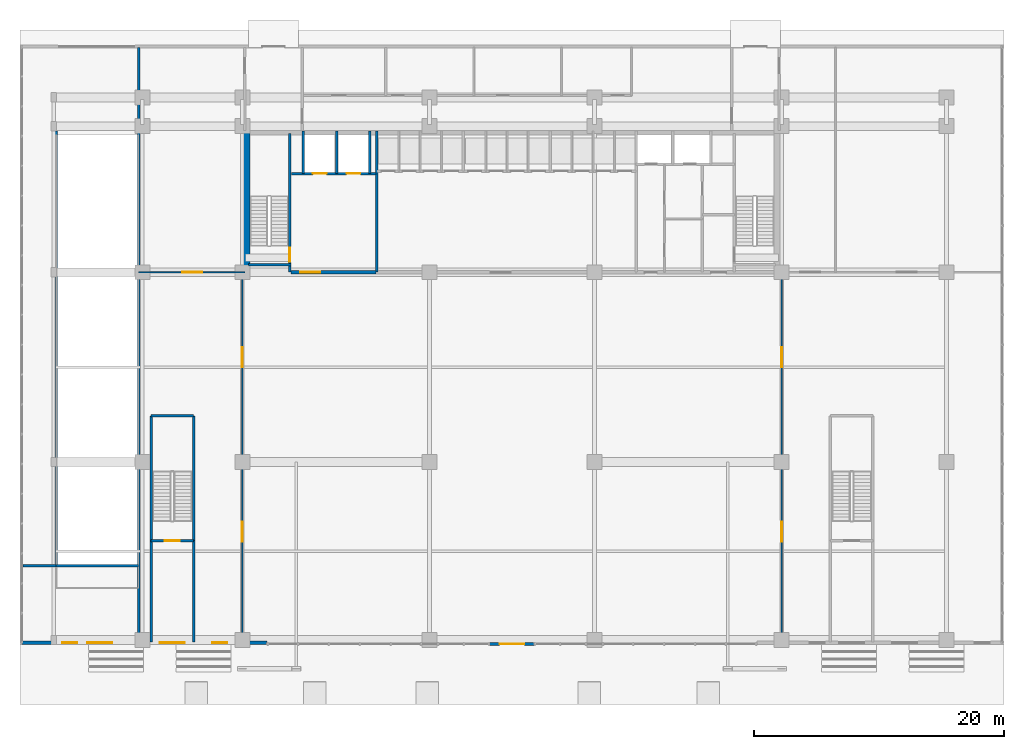
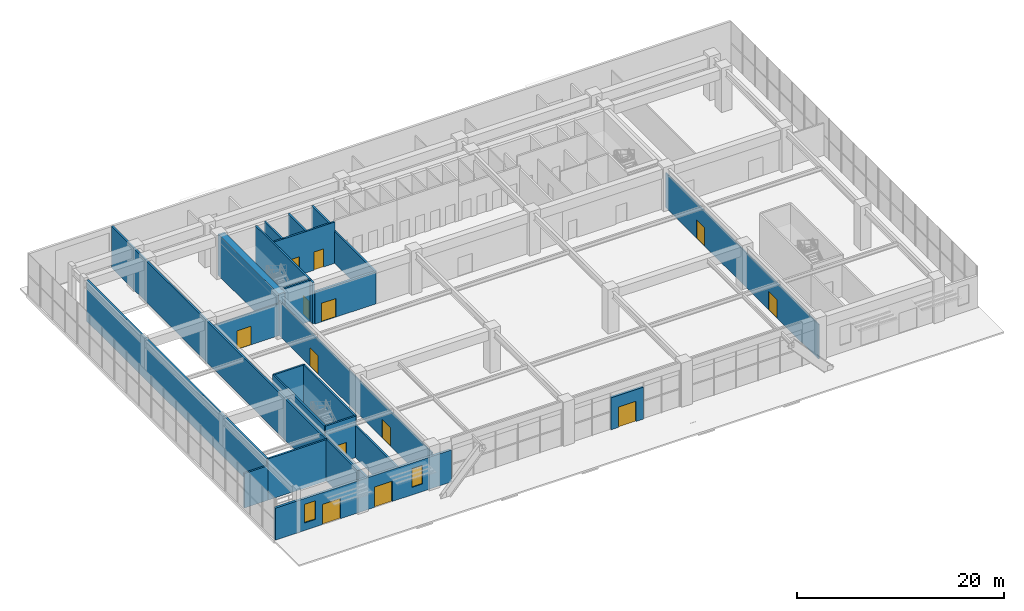
# One storey, part 33 of 40: 24 walls, 13 doors, 2 windows, 15 openings.
"""IFC4 building model written with IfcOpenShell, lengths in metres."""

from ifc_helpers import new_model, si_unit, direction, frame, frame_2d, origin, place, context, subcontext, project, spatial, rectangle, extrude, source, transform, mapped, material, layer, layer_set, type_object, element, fill, save


model = new_model("IFC4")

# Units and contexts
model_context = context("Model", 3, precision=1e-05, world=origin(), true_north=direction((0.0, 1.0)))
body_context = subcontext(model_context, "Body", "Model", "MODEL_VIEW")
ifc_project = project(units=[si_unit("LENGTHUNIT", "METRE"), si_unit("AREAUNIT", "SQUARE_METRE"), si_unit("VOLUMEUNIT", "CUBIC_METRE"), si_unit("PLANEANGLEUNIT", "RADIAN"), si_unit("MASSUNIT", "GRAM", prefix="KILO")], contexts=[model_context])

# Site, building, storey
site_placement = place(None, origin())
site = spatial("IfcSite", under=ifc_project, at=site_placement, CompositionType="ELEMENT")
building_placement = place(site_placement, origin())
building = spatial("IfcBuilding", under=site, at=building_placement, Name="Trelvane Seafront Commons", CompositionType="ELEMENT")
storey_placement = place(building_placement, origin())
storey = spatial("IfcBuildingStorey", under=building, at=storey_placement, Name="L00", CompositionType="ELEMENT", Elevation=0.0)

# Wall, openings, doors, windows
ifc_material_1 = material(Name="Precast concrete C40/50", Category="concrete")
ifc_layer_1 = layer(ifc_material_1, 0.260009765625, Name="ARCH-WALL-EXT260")
ifc_layer_set_1 = layer_set([ifc_layer_1], Name="Precast concrete C40/50")
wall_type_1 = type_object("IfcWallType", Name="ARCH-WALL-EXT260", PredefinedType="SOLIDWALL", material=ifc_layer_set_1)
wall_1_placement = place(storey_placement, frame((17.60009765625, 3.72998046875, 0.0), z_axis=(0.0, 0.0, 1.0), x_axis=(-1.0, 0.0, 0.0)))
wall_1 = element("IfcWall", 1, at=wall_1_placement, inside=storey, type_object=wall_type_1, Name="EW-L00-SW-002", PredefinedType="SOLIDWALL", context=body_context, shape_type="SweptSolid", body=[
    extrude(rectangle(XDim=19.650146484375, YDim=0.260009765625, at=frame_2d((9.8251953125, 0.0))), origin(), (0.0, 0.0, 1.0), 3.780029296875),
])
opening_1_placement = place(wall_1_placement, frame((6.60009765625, 0.0, 0.0)))
opening_1 = element("IfcOpeningElement", 2, at=opening_1_placement, cuts=wall_1, Name="Opening FD-EXS4", PredefinedType="OPENING", context=body_context, shape_type="SweptSolid", body=[
    extrude(rectangle(XDim=2.0, YDim=2.39990234375, at=frame_2d((1.0, 1.199951171875))), frame((0.0, 0.139892578125, 0.0), z_axis=(0.0, -1.0, 0.0), x_axis=(1.0, 0.0, 0.0)), (0.0, 0.0, 1.0), 0.280029296875),
])
opening_2_placement = place(wall_1_placement, frame((12.39990234375, 0.0, 0.0)))
opening_2 = element("IfcOpeningElement", 3, at=opening_2_placement, cuts=wall_1, Name="Opening FD-EXS5", PredefinedType="OPENING", context=body_context, shape_type="SweptSolid", body=[
    extrude(rectangle(XDim=2.0, YDim=2.39990234375, at=frame_2d((1.0, 1.199951171875))), frame((0.0, 0.139892578125, 0.0), z_axis=(0.0, -1.0, 0.0), x_axis=(1.0, 0.0, 0.0)), (0.0, 0.0, 1.0), 0.280029296875),
])
opening_3_placement = place(wall_1_placement, frame((3.199951171875, 0.0, 0.89990234375)))
opening_3 = element("IfcOpeningElement", 4, at=opening_3_placement, cuts=wall_1, Name="Opening W05", PredefinedType="OPENING", context=body_context, shape_type="SweptSolid", body=[
    extrude(rectangle(XDim=1.199951171875, YDim=2.199951171875, at=frame_2d((0.60009765625, 1.10009765625))), frame((0.0, 0.139892578125, 0.0), z_axis=(0.0, -1.0, 0.0), x_axis=(1.0, 0.0, 0.0)), (0.0, 0.0, 1.0), 0.280029296875),
])
opening_4_placement = place(wall_1_placement, frame((15.199951171875, 0.0, 0.89990234375)))
opening_4 = element("IfcOpeningElement", 5, at=opening_4_placement, cuts=wall_1, Name="Opening W05", PredefinedType="OPENING", context=body_context, shape_type="SweptSolid", body=[
    extrude(rectangle(XDim=1.199951171875, YDim=2.199951171875, at=frame_2d((0.60009765625, 1.10009765625))), frame((0.0, 0.139892578125, 0.0), z_axis=(0.0, -1.0, 0.0), x_axis=(1.0, 0.0, 0.0)), (0.0, 0.0, 1.0), 0.280029296875),
])
ifc_material_2 = material(Name="Powder-coated aluminium frame", Category="aluminium")
door_type_1 = type_object("IfcDoorType", Name="ARCH-DR-EX2000", OperationType="DOUBLE_DOOR_SINGLE_SWING", PredefinedType="DOOR", material=ifc_material_2)
shared_shape_1 = source(origin(), body_context, "Body", "SweptSolid", [
    extrude(rectangle(XDim=2.0, YDim=2.39990234375, at=frame_2d((1.0, 1.199951171875))), frame((0.0, 0.02490234375, 0.0), z_axis=(0.0, -1.0, 0.0), x_axis=(1.0, 0.0, 0.0)), (0.0, 0.0, 1.0), 0.050048828125),
])
door_1_placement = place(opening_1_placement, origin())
door_1 = element("IfcDoor", 6, at=door_1_placement, inside=storey, type_object=door_type_1, Name="L00 Seafront Concourse Final Exit Door 4", OperationType="DOUBLE_DOOR_SINGLE_SWING", OverallHeight=2.39990234375, OverallWidth=2.0, PredefinedType="DOOR", context=body_context, shape_type="MappedRepresentation", body=[
    mapped(shared_shape_1, transform((0.0, 0.0, 0.0), x_axis=(1.0, 0.0, 0.0), y_axis=(0.0, 1.0, 0.0), z_axis=(0.0, 0.0, 1.0), scale=1.0)),
])
fill(opening_1, door_1)
door_2_placement = place(opening_2_placement, origin())
door_2 = element("IfcDoor", 7, at=door_2_placement, inside=storey, type_object=door_type_1, Name="L00 Seafront Concourse Final Exit Door 5", OperationType="DOUBLE_DOOR_SINGLE_SWING", OverallHeight=2.39990234375, OverallWidth=2.0, PredefinedType="DOOR", context=body_context, shape_type="MappedRepresentation", body=[
    mapped(shared_shape_1, transform((0.0, 0.0, 0.0), x_axis=(1.0, 0.0, 0.0), y_axis=(0.0, 1.0, 0.0), z_axis=(0.0, 0.0, 1.0), scale=1.0)),
])
fill(opening_2, door_2)
ifc_material_3 = material(Name="Low-E coastal double glazing", Category="glass")
window_type = type_object("IfcWindowType", Name="ARCH-WIN-W05", PartitioningType="SINGLE_PANEL", PredefinedType="WINDOW", material=ifc_material_3)
shared_shape_2 = source(origin(), body_context, "Body", "SweptSolid", [
    extrude(rectangle(XDim=1.199951171875, YDim=2.199951171875, at=frame_2d((0.60009765625, 1.10009765625))), frame((0.0, 0.030029296875, 0.0), z_axis=(0.0, -1.0, 0.0), x_axis=(1.0, 0.0, 0.0)), (0.0, 0.0, 1.0), 0.06005859375),
])
window_1_placement = place(opening_3_placement, origin())
window_1 = element("IfcWindow", 8, at=window_1_placement, inside=storey, type_object=window_type, Name="WIN-L00-S-0001", OverallHeight=2.199951171875, OverallWidth=1.199951171875, PartitioningType="SINGLE_PANEL", PredefinedType="WINDOW", context=body_context, shape_type="MappedRepresentation", body=[
    mapped(shared_shape_2, transform((0.0, 0.0, 0.0), x_axis=(1.0, 0.0, 0.0), y_axis=(0.0, 1.0, 0.0), z_axis=(0.0, 0.0, 1.0), scale=1.0)),
])
fill(opening_3, window_1)
window_2_placement = place(opening_4_placement, origin())
window_2 = element("IfcWindow", 9, at=window_2_placement, inside=storey, type_object=window_type, Name="WIN-L00-S-0002", OverallHeight=2.199951171875, OverallWidth=1.199951171875, PartitioningType="SINGLE_PANEL", PredefinedType="WINDOW", context=body_context, shape_type="MappedRepresentation", body=[
    mapped(shared_shape_2, transform((0.0, 0.0, 0.0), x_axis=(1.0, 0.0, 0.0), y_axis=(0.0, 1.0, 0.0), z_axis=(0.0, 0.0, 1.0), scale=1.0)),
])
fill(opening_4, window_2)

# Wall, opening, door
wall_2_placement = place(storey_placement, frame((39.0, 3.6201171875, 0.0), z_axis=(0.0, 0.0, 1.0), x_axis=(-1.0, 0.0, 0.0)))
wall_2 = element("IfcWall", 10, at=wall_2_placement, inside=storey, type_object=wall_type_1, Name="EW-L00-VPMID-004", PredefinedType="SOLIDWALL", context=body_context, shape_type="SweptSolid", body=[
    extrude(rectangle(XDim=3.60009765625, YDim=0.260009765625, at=frame_2d((1.800048828125, 0.0))), origin(), (0.0, 0.0, 1.0), 3.780029296875),
])
opening_5_placement = place(wall_2_placement, frame((0.800048828125, 0.0, 0.0)))
opening_5 = element("IfcOpeningElement", 11, at=opening_5_placement, cuts=wall_2, Name="Opening FD-EXS8", PredefinedType="OPENING", context=body_context, shape_type="SweptSolid", body=[
    extrude(rectangle(XDim=2.0, YDim=2.39990234375, at=frame_2d((1.0, 1.199951171875))), frame((0.0, 0.139892578125, 0.0), z_axis=(0.0, -1.0, 0.0), x_axis=(1.0, 0.0, 0.0)), (0.0, 0.0, 1.0), 0.280029296875),
])
door_3_placement = place(opening_5_placement, origin())
door_3 = element("IfcDoor", 12, at=door_3_placement, inside=storey, type_object=door_type_1, Name="L00 Central Seafront Concourse Final Exit Door", OperationType="DOUBLE_DOOR_SINGLE_SWING", OverallHeight=2.39990234375, OverallWidth=2.0, PredefinedType="DOOR", context=body_context, shape_type="MappedRepresentation", body=[
    mapped(shared_shape_1, transform((0.0, 0.0, 0.0), x_axis=(1.0, 0.0, 0.0), y_axis=(0.0, 1.0, 0.0), z_axis=(0.0, 0.0, 1.0), scale=1.0)),
])
fill(opening_5, door_3)

# Walls
ifc_material_4 = material(Name="Concrete C40/50", Category="concrete")
ifc_layer_2 = layer(ifc_material_4, 0.199951171875, Name="ARCH-WALL-FIRE200")
ifc_layer_set_2 = layer_set([ifc_layer_2], Name="Concrete C40/50")
wall_type_2 = type_object("IfcWallType", Name="ARCH-WALL-FIRE200", PredefinedType="PARTITIONING", material=ifc_layer_set_2)
for number, where, z_axis, x_axis, name in (
    (13, (8.300048828125, 3.780029296875, 0.0), (0.0, 0.0, 1.0), (0.0, 1.0, 0.0), "W-L00-EPSW-W-061"),
    (14, (11.699951171875, 3.780029296875, 0.0), (0.0, 0.0, 1.0), (0.0, 1.0, 0.0), "W-L00-EPSW-E-062"),
):
    element("IfcWall", number, at=place(storey_placement, frame(where, z_axis=z_axis, x_axis=x_axis)), inside=storey, type_object=wall_type_2, Name=name, PredefinedType="PARTITIONING", context=body_context, shape_type="SweptSolid", body=[
        extrude(rectangle(XDim=8.119873046875, YDim=0.199951171875, at=frame_2d((4.06005859375, 0.0))), origin(), (0.0, 0.0, 1.0), 3.780029296875),
    ])
wall_3_placement = place(storey_placement, frame((-1.949951171875, 9.89990234375, 0.0), z_axis=(0.0, 0.0, 1.0), x_axis=(1.0, 0.0, 0.0)))
element("IfcWall", 15, at=wall_3_placement, inside=storey, type_object=wall_type_2, Name="W-L00-RETSW-N-065", PredefinedType="PARTITIONING", context=body_context, shape_type="SweptSolid", body=[
    extrude(rectangle(XDim=2.64990234375, YDim=0.199951171875, at=frame_2d((1.324951171875, 0.0))), origin(), (0.0, 0.0, 1.0), 4.080078125),
])

# Wall, opening, door
ifc_layer_3 = layer(ifc_material_4, 0.25, Name="ARCH-WALL-FIRE250")
ifc_layer_set_3 = layer_set([ifc_layer_3], Name="Concrete C40/50")
wall_type_3 = type_object("IfcWallType", Name="ARCH-WALL-FIRE250", PredefinedType="PARTITIONING", material=ifc_layer_set_3)
wall_4_placement = place(storey_placement, frame((19.5, 33.39990234375, 0.0), z_axis=(0.0, 0.0, 1.0), x_axis=(1.0, 0.0, 0.0)))
wall_4 = element("IfcWall", 16, at=wall_4_placement, inside=storey, type_object=wall_type_3, Name="W-L00-CS-FFL-021", PredefinedType="PARTITIONING", context=body_context, shape_type="SweptSolid", body=[
    extrude(rectangle(XDim=6.800048828125, YDim=0.25, at=frame_2d((3.39990234375, 0.0))), origin(), (0.0, 0.0, 1.0), 3.780029296875),
])
opening_6_placement = place(wall_4_placement, frame((0.75, 0.0, 0.0)))
opening_6 = element("IfcOpeningElement", 17, at=opening_6_placement, cuts=wall_4, Name="Opening FD-L00-07", PredefinedType="OPENING", context=body_context, shape_type="SweptSolid", body=[
    extrude(rectangle(XDim=1.60009765625, YDim=2.199951171875, at=frame_2d((0.800048828125, 1.10009765625))), frame((0.0, 0.135009765625, 0.0), z_axis=(0.0, -1.0, 0.0), x_axis=(1.0, 0.0, 0.0)), (0.0, 0.0, 1.0), 0.27001953125),
])
door_type_2 = type_object("IfcDoorType", Name="ARCH-DR-FD60-1600", OperationType="DOUBLE_DOOR_SINGLE_SWING", PredefinedType="DOOR", material=ifc_material_2)
shared_shape_3 = source(origin(), body_context, "Body", "SweptSolid", [
    extrude(rectangle(XDim=1.60009765625, YDim=2.199951171875, at=frame_2d((0.800048828125, 1.10009765625))), frame((0.0, 0.02490234375, 0.0), z_axis=(0.0, -1.0, 0.0), x_axis=(1.0, 0.0, 0.0)), (0.0, 0.0, 1.0), 0.050048828125),
])
door_4_placement = place(opening_6_placement, origin())
door_4 = element("IfcDoor", 18, at=door_4_placement, inside=storey, type_object=door_type_2, Name="L00 Firefighting Lift Lobby Double Fire Door", OperationType="DOUBLE_DOOR_SINGLE_SWING", OverallHeight=2.199951171875, OverallWidth=1.60009765625, PredefinedType="DOOR", context=body_context, shape_type="MappedRepresentation", body=[
    mapped(shared_shape_3, transform((0.0, 0.0, 0.0), x_axis=(1.0, 0.0, 0.0), y_axis=(0.0, 1.0, 0.0), z_axis=(0.0, 0.0, 1.0), scale=1.0)),
])
fill(opening_6, door_4)

ifc_material_5 = material(Name="Gypsum Drywall Acoustic Partition")
ifc_layer_4 = layer(ifc_material_5, 0.14990234375, Name="ARCH-WALL-PART150")
ifc_layer_set_4 = layer_set([ifc_layer_4], Name="Gypsum Drywall Acoustic Partition")
wall_type_4 = type_object("IfcWallType", Name="ARCH-WALL-PART150", PredefinedType="PARTITIONING", material=ifc_layer_set_4)
wall_5_placement = place(storey_placement, frame((7.300048828125, 33.39990234375, 0.0), z_axis=(0.0, 0.0, 1.0), x_axis=(1.0, 0.0, 0.0)))
wall_5 = element("IfcWall", 19, at=wall_5_placement, inside=storey, type_object=wall_type_4, Name="W-L00-WF-S-049", PredefinedType="PARTITIONING", context=body_context, shape_type="SweptSolid", body=[
    extrude(rectangle(XDim=8.5, YDim=0.14990234375, at=frame_2d((4.25, 0.0))), origin(), (0.0, 0.0, 1.0), 3.780029296875),
])
opening_7_placement = place(wall_5_placement, frame((3.5, 0.0, 0.0)))
opening_7 = element("IfcOpeningElement", 20, at=opening_7_placement, cuts=wall_5, Name="Opening D-L00-28", PredefinedType="OPENING", context=body_context, shape_type="SweptSolid", body=[
    extrude(rectangle(XDim=1.60009765625, YDim=2.199951171875, at=frame_2d((0.800048828125, 1.10009765625))), frame((0.0, 0.0849609375, 0.0), z_axis=(0.0, -1.0, 0.0), x_axis=(1.0, 0.0, 0.0)), (0.0, 0.0, 1.0), 0.169921875),
])
ifc_material_6 = material(Name="Acoustic timber door leaf", Category="wood")
door_type_3 = type_object("IfcDoorType", Name="ARCH-DR-GLZ1600", OperationType="DOUBLE_DOOR_SINGLE_SWING", PredefinedType="DOOR", material=ifc_material_6)
door_5_placement = place(opening_7_placement, origin())
door_5 = element("IfcDoor", 21, at=door_5_placement, inside=storey, type_object=door_type_3, Name="L00 Door 28", OperationType="DOUBLE_DOOR_SINGLE_SWING", OverallHeight=2.199951171875, OverallWidth=1.60009765625, PredefinedType="DOOR", context=body_context, shape_type="MappedRepresentation", body=[
    mapped(shared_shape_3, transform((0.0, 0.0, 0.0), x_axis=(1.0, 0.0, 0.0), y_axis=(0.0, 1.0, 0.0), z_axis=(0.0, 0.0, 1.0), scale=1.0)),
])
fill(opening_7, door_5)

# Wall, openings, doors
wall_6_placement = place(storey_placement, frame((15.60009765625, 3.800048828125, 0.0), z_axis=(0.0, 0.0, 1.0), x_axis=(0.0, 1.0, 0.0)))
wall_6 = element("IfcWall", 22, at=wall_6_placement, inside=storey, type_object=wall_type_4, Name="W-L00-RET-W-066", PredefinedType="PARTITIONING", context=body_context, shape_type="SweptSolid", body=[
    extrude(rectangle(XDim=29.599853515625, YDim=0.14990234375, at=frame_2d((14.7998046875, 0.0))), origin(), (0.0, 0.0, 1.0), 4.080078125),
])
opening_8_placement = place(wall_6_placement, frame((8.0, 0.0, 0.0)))
opening_8 = element("IfcOpeningElement", 23, at=opening_8_placement, cuts=wall_6, Name="Opening D-L00-39", PredefinedType="OPENING", context=body_context, shape_type="SweptSolid", body=[
    extrude(rectangle(XDim=1.60009765625, YDim=2.199951171875, at=frame_2d((0.800048828125, 1.10009765625))), frame((0.0, 0.0849609375, 0.0), z_axis=(0.0, -1.0, 0.0), x_axis=(1.0, 0.0, 0.0)), (0.0, 0.0, 1.0), 0.169921875),
])
opening_9_placement = place(wall_6_placement, frame((22.0, 0.0, 0.0)))
opening_9 = element("IfcOpeningElement", 24, at=opening_9_placement, cuts=wall_6, Name="Opening D-L00-40", PredefinedType="OPENING", context=body_context, shape_type="SweptSolid", body=[
    extrude(rectangle(XDim=1.60009765625, YDim=2.199951171875, at=frame_2d((0.800048828125, 1.10009765625))), frame((0.0, 0.0849609375, 0.0), z_axis=(0.0, -1.0, 0.0), x_axis=(1.0, 0.0, 0.0)), (0.0, 0.0, 1.0), 0.169921875),
])
door_6_placement = place(opening_8_placement, origin())
door_6 = element("IfcDoor", 25, at=door_6_placement, inside=storey, type_object=door_type_3, Name="L00 Door 39", OperationType="DOUBLE_DOOR_SINGLE_SWING", OverallHeight=2.199951171875, OverallWidth=1.60009765625, PredefinedType="DOOR", context=body_context, shape_type="MappedRepresentation", body=[
    mapped(shared_shape_3, transform((0.0, 0.0, 0.0), x_axis=(1.0, 0.0, 0.0), y_axis=(0.0, 1.0, 0.0), z_axis=(0.0, 0.0, 1.0), scale=1.0)),
])
fill(opening_8, door_6)
door_7_placement = place(opening_9_placement, origin())
door_7 = element("IfcDoor", 26, at=door_7_placement, inside=storey, type_object=door_type_3, Name="L00 Door 40", OperationType="DOUBLE_DOOR_SINGLE_SWING", OverallHeight=2.199951171875, OverallWidth=1.60009765625, PredefinedType="DOOR", context=body_context, shape_type="MappedRepresentation", body=[
    mapped(shared_shape_3, transform((0.0, 0.0, 0.0), x_axis=(1.0, 0.0, 0.0), y_axis=(0.0, 1.0, 0.0), z_axis=(0.0, 0.0, 1.0), scale=1.0)),
])
fill(opening_9, door_7)

wall_7_placement = place(storey_placement, frame((58.800048828125, 3.800048828125, 0.0), z_axis=(0.0, 0.0, 1.0), x_axis=(0.0, 1.0, 0.0)))
wall_7 = element("IfcWall", 27, at=wall_7_placement, inside=storey, type_object=wall_type_4, Name="W-L00-RET-E-067", PredefinedType="PARTITIONING", context=body_context, shape_type="SweptSolid", body=[
    extrude(rectangle(XDim=29.599853515625, YDim=0.14990234375, at=frame_2d((14.7998046875, 0.0))), origin(), (0.0, 0.0, 1.0), 4.080078125),
])
opening_10_placement = place(wall_7_placement, frame((8.0, 0.0, 0.0)))
opening_10 = element("IfcOpeningElement", 28, at=opening_10_placement, cuts=wall_7, Name="Opening D-L00-41", PredefinedType="OPENING", context=body_context, shape_type="SweptSolid", body=[
    extrude(rectangle(XDim=1.60009765625, YDim=2.199951171875, at=frame_2d((0.800048828125, 1.10009765625))), frame((0.0, 0.0849609375, 0.0), z_axis=(0.0, -1.0, 0.0), x_axis=(1.0, 0.0, 0.0)), (0.0, 0.0, 1.0), 0.169921875),
])
opening_11_placement = place(wall_7_placement, frame((22.0, 0.0, 0.0)))
opening_11 = element("IfcOpeningElement", 29, at=opening_11_placement, cuts=wall_7, Name="Opening D-L00-42", PredefinedType="OPENING", context=body_context, shape_type="SweptSolid", body=[
    extrude(rectangle(XDim=1.60009765625, YDim=2.199951171875, at=frame_2d((0.800048828125, 1.10009765625))), frame((0.0, 0.0849609375, 0.0), z_axis=(0.0, -1.0, 0.0), x_axis=(1.0, 0.0, 0.0)), (0.0, 0.0, 1.0), 0.169921875),
])
door_8_placement = place(opening_10_placement, origin())
door_8 = element("IfcDoor", 30, at=door_8_placement, inside=storey, type_object=door_type_3, Name="L00 Door 41", OperationType="DOUBLE_DOOR_SINGLE_SWING", OverallHeight=2.199951171875, OverallWidth=1.60009765625, PredefinedType="DOOR", context=body_context, shape_type="MappedRepresentation", body=[
    mapped(shared_shape_3, transform((0.0, 0.0, 0.0), x_axis=(1.0, 0.0, 0.0), y_axis=(0.0, 1.0, 0.0), z_axis=(0.0, 0.0, 1.0), scale=1.0)),
])
fill(opening_10, door_8)
door_9_placement = place(opening_11_placement, origin())
door_9 = element("IfcDoor", 31, at=door_9_placement, inside=storey, type_object=door_type_3, Name="L00 Door 42", OperationType="DOUBLE_DOOR_SINGLE_SWING", OverallHeight=2.199951171875, OverallWidth=1.60009765625, PredefinedType="DOOR", context=body_context, shape_type="MappedRepresentation", body=[
    mapped(shared_shape_3, transform((0.0, 0.0, 0.0), x_axis=(1.0, 0.0, 0.0), y_axis=(0.0, 1.0, 0.0), z_axis=(0.0, 0.0, 1.0), scale=1.0)),
])
fill(opening_11, door_9)

ifc_layer_5 = layer(ifc_material_4, 0.199951171875, Name="ARCH-WALL-SHAFT200")
ifc_layer_set_5 = layer_set([ifc_layer_5], Name="Concrete C40/50")
wall_type_5 = type_object("IfcWallType", Name="ARCH-WALL-SHAFT200", PredefinedType="SOLIDWALL", material=ifc_layer_set_5)
wall_8_placement = place(storey_placement, frame((19.550048828125, 41.300048828125, 0.0), z_axis=(0.0, 0.0, 1.0), x_axis=(1.0, 0.0, 0.0)))
wall_8 = element("IfcWall", 32, at=wall_8_placement, inside=storey, type_object=wall_type_5, Name="W-L00-FFL-FRONT-016", PredefinedType="SOLIDWALL", context=body_context, shape_type="SweptSolid", body=[
    extrude(rectangle(XDim=6.75, YDim=0.199951171875, at=frame_2d((3.375, 0.0))), origin(), (0.0, 0.0, 1.0), 4.8798828125),
])
opening_12_placement = place(wall_8_placement, frame((1.699951171875, 0.0, 0.0)))
opening_12 = element("IfcOpeningElement", 33, at=opening_12_placement, cuts=wall_8, Name="Opening LD-FF1-L00", PredefinedType="OPENING", context=body_context, shape_type="SweptSolid", body=[
    extrude(rectangle(XDim=1.10009765625, YDim=2.14990234375, at=frame_2d((0.550048828125, 1.074951171875))), frame((0.0, 0.10986328125, 0.0), z_axis=(0.0, -1.0, 0.0), x_axis=(1.0, 0.0, 0.0)), (0.0, 0.0, 1.0), 0.219970703125),
])
opening_13_placement = place(wall_8_placement, frame((4.39990234375, 0.0, 0.0)))
opening_13 = element("IfcOpeningElement", 34, at=opening_13_placement, cuts=wall_8, Name="Opening LD-FF2-L00", PredefinedType="OPENING", context=body_context, shape_type="SweptSolid", body=[
    extrude(rectangle(XDim=1.10009765625, YDim=2.14990234375, at=frame_2d((0.550048828125, 1.074951171875))), frame((0.0, 0.10986328125, 0.0), z_axis=(0.0, -1.0, 0.0), x_axis=(1.0, 0.0, 0.0)), (0.0, 0.0, 1.0), 0.219970703125),
])
ifc_material_7 = material(Name="Stainless steel balustrade", Category="steel")
door_type_4 = type_object("IfcDoorType", Name="ARCH-DR-LD1100", OperationType="DOUBLE_DOOR_SLIDING", PredefinedType="DOOR", material=ifc_material_7)
shared_shape_4 = source(origin(), body_context, "Body", "SweptSolid", [
    extrude(rectangle(XDim=1.10009765625, YDim=2.14990234375, at=frame_2d((0.550048828125, 1.074951171875))), frame((0.0, 0.02490234375, 0.0), z_axis=(0.0, -1.0, 0.0), x_axis=(1.0, 0.0, 0.0)), (0.0, 0.0, 1.0), 0.050048828125),
])
door_10_placement = place(opening_12_placement, origin())
door_10 = element("IfcDoor", 35, at=door_10_placement, inside=storey, type_object=door_type_4, Name="L00 Firefighting Lift FFL-1 Landing Door", OperationType="DOUBLE_DOOR_SLIDING", OverallHeight=2.14990234375, OverallWidth=1.10009765625, PredefinedType="DOOR", context=body_context, shape_type="MappedRepresentation", body=[
    mapped(shared_shape_4, transform((0.0, 0.0, 0.0), x_axis=(1.0, 0.0, 0.0), y_axis=(0.0, 1.0, 0.0), z_axis=(0.0, 0.0, 1.0), scale=1.0)),
])
fill(opening_12, door_10)
door_11_placement = place(opening_13_placement, origin())
door_11 = element("IfcDoor", 36, at=door_11_placement, inside=storey, type_object=door_type_4, Name="L00 Firefighting Lift FFL-2 Landing Door", OperationType="DOUBLE_DOOR_SLIDING", OverallHeight=2.14990234375, OverallWidth=1.10009765625, PredefinedType="DOOR", context=body_context, shape_type="MappedRepresentation", body=[
    mapped(shared_shape_4, transform((0.0, 0.0, 0.0), x_axis=(1.0, 0.0, 0.0), y_axis=(0.0, 1.0, 0.0), z_axis=(0.0, 0.0, 1.0), scale=1.0)),
])
fill(opening_13, door_11)

# Walls
for number, where, z_axis, x_axis, name in (
    (37, (20.5, 41.300048828125, 0.0), (0.0, 0.0, 1.0), (0.0, 1.0, 0.0), "W-L00-FFL-SH-W-017"),
    (38, (23.14990234375, 41.300048828125, 0.0), (0.0, 0.0, 1.0), (0.0, 1.0, 0.0), "W-L00-FFL-DIV-018"),
    (39, (25.800048828125, 41.300048828125, 0.0), (0.0, 0.0, 1.0), (0.0, 1.0, 0.0), "W-L00-FFL-SH-E-019"),
):
    element("IfcWall", number, at=place(storey_placement, frame(where, z_axis=z_axis, x_axis=x_axis)), inside=storey, type_object=wall_type_5, Name=name, PredefinedType="SOLIDWALL", context=body_context, shape_type="SweptSolid", body=[
        extrude(rectangle(XDim=3.39990234375, YDim=0.199951171875, at=frame_2d((1.699951171875, 0.0))), origin(), (0.0, 0.0, 1.0), 4.8798828125),
    ])
wall_9_placement = place(storey_placement, frame((26.35009765625, 33.39990234375, 0.0), z_axis=(0.0, 0.0, 1.0), x_axis=(0.0, 1.0, 0.0)))
element("IfcWall", 40, at=wall_9_placement, inside=storey, type_object=wall_type_5, Name="W-L00-FFL-EAST-020", PredefinedType="SOLIDWALL", context=body_context, shape_type="SweptSolid", body=[
    extrude(rectangle(XDim=11.300048828125, YDim=0.199951171875, at=frame_2d((5.64990234375, 0.0))), origin(), (0.0, 0.0, 1.0), 3.780029296875),
])
ifc_material_8 = material(Name="Concrete C60/75", Category="concrete")
ifc_layer_6 = layer(ifc_material_8, 0.699951171875, Name="STR-WALL-CORE700")
ifc_layer_set_6 = layer_set([ifc_layer_6], Name="Concrete C60/75")
wall_type_6 = type_object("IfcWallType", Name="STR-WALL-CORE700", PredefinedType="SHEAR", material=ifc_layer_set_6)
wall_10_placement = place(storey_placement, frame((15.85009765625, 33.39990234375, 0.0), z_axis=(0.0, 0.0, 1.0), x_axis=(0.0, 1.0, 0.0)))
element("IfcWall", 41, at=wall_10_placement, inside=storey, type_object=wall_type_6, Name="W-L00-CW-END-002", PredefinedType="SHEAR", context=body_context, shape_type="SweptSolid", body=[
    extrude(rectangle(XDim=11.7001953125, YDim=0.699951171875, at=frame_2d((5.85009765625, 0.0))), origin(), (0.0, 0.0, 1.0), 4.8798828125),
])
ifc_material_9 = material(Name="Concrete C50/60", Category="concrete")
ifc_layer_7 = layer(ifc_material_9, 0.199951171875, Name="STR-WALL-STAIR200")
ifc_layer_set_7 = layer_set([ifc_layer_7], Name="Concrete C50/60")
wall_type_7 = type_object("IfcWallType", Name="STR-WALL-STAIR200", PredefinedType="SHEAR", material=ifc_layer_set_7)
wall_11_placement = place(storey_placement, frame((16.10009765625, 34.0, 0.0), z_axis=(0.0, 0.0, 1.0), x_axis=(1.0, 0.0, 0.0)))
element("IfcWall", 42, at=wall_11_placement, inside=storey, type_object=wall_type_7, Name="W-L00-ST1-S-004", PredefinedType="SHEAR", context=body_context, shape_type="SweptSolid", body=[
    extrude(rectangle(XDim=3.39990234375, YDim=0.199951171875, at=frame_2d((1.699951171875, 0.0))), origin(), (0.0, 0.0, 1.0), 4.8798828125),
])

# Wall, opening, door
wall_12_placement = place(storey_placement, frame((19.39990234375, 33.39990234375, 0.0), z_axis=(0.0, 0.0, 1.0), x_axis=(0.0, 1.0, 0.0)))
wall_12 = element("IfcWall", 43, at=wall_12_placement, inside=storey, type_object=wall_type_7, Name="W-L00-ST1-E-005", PredefinedType="SHEAR", context=body_context, shape_type="SweptSolid", body=[
    extrude(rectangle(XDim=11.10009765625, YDim=0.199951171875, at=frame_2d((5.550048828125, 0.0))), origin(), (0.0, 0.0, 1.0), 4.8798828125),
])
opening_14_placement = place(wall_12_placement, frame((0.85009765625, 0.0, 0.0)))
opening_14 = element("IfcOpeningElement", 44, at=opening_14_placement, cuts=wall_12, Name="Opening ST-D1-L00", PredefinedType="OPENING", context=body_context, shape_type="SweptSolid", body=[
    extrude(rectangle(XDim=1.10009765625, YDim=2.14990234375, at=frame_2d((0.550048828125, 1.074951171875))), frame((0.0, 0.10986328125, 0.0), z_axis=(0.0, -1.0, 0.0), x_axis=(1.0, 0.0, 0.0)), (0.0, 0.0, 1.0), 0.219970703125),
])
door_type_5 = type_object("IfcDoorType", Name="ARCH-DR-FD90-1100", OperationType="NOTDEFINED", PredefinedType="DOOR", material=ifc_material_2)
door_12_placement = place(opening_14_placement, origin())
door_12 = element("IfcDoor", 45, at=door_12_placement, inside=storey, type_object=door_type_5, Name="L00 Stair ST-1 Lobby Fire Door", OperationType="SINGLE_SWING_LEFT", OverallHeight=2.14990234375, OverallWidth=1.10009765625, PredefinedType="DOOR", context=body_context, shape_type="MappedRepresentation", body=[
    mapped(shared_shape_4, transform((0.0, 0.0, 0.0), x_axis=(1.0, 0.0, 0.0), y_axis=(0.0, 1.0, 0.0), z_axis=(0.0, 0.0, 1.0), scale=1.0)),
])
fill(opening_14, door_12)

# Walls
for number, where, z_axis, x_axis, name in (
    (46, (8.300048828125, 11.89990234375, 0.0), (0.0, 0.0, 1.0), (0.0, 1.0, 0.0), "W-L00-ST3-W-008"),
    (47, (11.699951171875, 11.89990234375, 0.0), (0.0, 0.0, 1.0), (0.0, 1.0, 0.0), "W-L00-ST3-E-009"),
):
    element("IfcWall", number, at=place(storey_placement, frame(where, z_axis=z_axis, x_axis=x_axis)), inside=storey, type_object=wall_type_7, Name=name, PredefinedType="SHEAR", context=body_context, shape_type="SweptSolid", body=[
        extrude(rectangle(XDim=10.0, YDim=0.199951171875, at=frame_2d((5.0, 0.0))), origin(), (0.0, 0.0, 1.0), 4.8798828125),
    ])

# Wall, opening, door
wall_13_placement = place(storey_placement, frame((8.300048828125, 11.89990234375, 0.0), z_axis=(0.0, 0.0, 1.0), x_axis=(1.0, 0.0, 0.0)))
wall_13 = element("IfcWall", 48, at=wall_13_placement, inside=storey, type_object=wall_type_7, Name="W-L00-ST3-S-010", PredefinedType="SHEAR", context=body_context, shape_type="SweptSolid", body=[
    extrude(rectangle(XDim=3.39990234375, YDim=0.199951171875, at=frame_2d((1.699951171875, 0.0))), origin(), (0.0, 0.0, 1.0), 4.8798828125),
])
opening_15_placement = place(wall_13_placement, frame((1.10009765625, 0.0, 0.0)))
opening_15 = element("IfcOpeningElement", 49, at=opening_15_placement, cuts=wall_13, Name="Opening ST-D-ST3-L00", PredefinedType="OPENING", context=body_context, shape_type="SweptSolid", body=[
    extrude(rectangle(XDim=1.199951171875, YDim=2.14990234375, at=frame_2d((0.60009765625, 1.074951171875))), frame((0.0, 0.10986328125, 0.0), z_axis=(0.0, -1.0, 0.0), x_axis=(1.0, 0.0, 0.0)), (0.0, 0.0, 1.0), 0.219970703125),
])
door_type_6 = type_object("IfcDoorType", Name="ARCH-DR-FD90-1200", OperationType="NOTDEFINED", PredefinedType="DOOR", material=ifc_material_2)
shared_shape_5 = source(origin(), body_context, "Body", "SweptSolid", [
    extrude(rectangle(XDim=1.199951171875, YDim=2.14990234375, at=frame_2d((0.60009765625, 1.074951171875))), frame((0.0, 0.02490234375, 0.0), z_axis=(0.0, -1.0, 0.0), x_axis=(1.0, 0.0, 0.0)), (0.0, 0.0, 1.0), 0.050048828125),
])
door_13_placement = place(opening_15_placement, origin())
door_13 = element("IfcDoor", 50, at=door_13_placement, inside=storey, type_object=door_type_6, Name="L00 Podium ST3 Fire Door", OperationType="SINGLE_SWING_LEFT", OverallHeight=2.14990234375, OverallWidth=1.199951171875, PredefinedType="DOOR", context=body_context, shape_type="MappedRepresentation", body=[
    mapped(shared_shape_5, transform((0.0, 0.0, 0.0), x_axis=(1.0, 0.0, 0.0), y_axis=(0.0, 1.0, 0.0), z_axis=(0.0, 0.0, 1.0), scale=1.0)),
])
fill(opening_15, door_13)

# Walls
wall_14_placement = place(storey_placement, frame((8.300048828125, 21.89990234375, 0.0), z_axis=(0.0, 0.0, 1.0), x_axis=(1.0, 0.0, 0.0)))
element("IfcWall", 51, at=wall_14_placement, inside=storey, type_object=wall_type_7, Name="W-L00-ST3-N-011", PredefinedType="SHEAR", context=body_context, shape_type="SweptSolid", body=[
    extrude(rectangle(XDim=3.39990234375, YDim=0.199951171875, at=frame_2d((1.699951171875, 0.0))), origin(), (0.0, 0.0, 1.0), 4.8798828125),
])
wall_15_placement = place(storey_placement, frame((0.699951171875, 9.89990234375, 0.0), z_axis=(0.0, 0.0, 1.0), x_axis=(0.0, 1.0, 0.0)))
element("IfcWall", 52, at=wall_15_placement, inside=storey, type_object=wall_type_7, Name="W-L00-RMP-W-L00-046", PredefinedType="SHEAR", context=body_context, shape_type="SweptSolid", body=[
    extrude(rectangle(XDim=34.830078125, YDim=0.199951171875, at=frame_2d((17.4150390625, 0.0))), origin(), (0.0, 0.0, 1.0), 4.8798828125),
])
wall_16_placement = place(storey_placement, frame((0.699951171875, 9.89990234375, 0.0), z_axis=(0.0, 0.0, 1.0), x_axis=(1.0, 0.0, 0.0)))
element("IfcWall", 53, at=wall_16_placement, inside=storey, type_object=wall_type_7, Name="W-L00-RMP-S-L00-047", PredefinedType="SHEAR", context=body_context, shape_type="SweptSolid", body=[
    extrude(rectangle(XDim=6.60009765625, YDim=0.199951171875, at=frame_2d((3.300048828125, 0.0))), origin(), (0.0, 0.0, 1.0), 4.8798828125),
])
wall_17_placement = place(storey_placement, frame((7.300048828125, 3.800048828125, 0.0), z_axis=(0.0, 0.0, 1.0), x_axis=(0.0, 1.0, 0.0)))
element("IfcWall", 54, at=wall_17_placement, inside=storey, type_object=wall_type_7, Name="W-L00-RMP-SEP-048", PredefinedType="SHEAR", context=body_context, shape_type="SweptSolid", body=[
    extrude(rectangle(XDim=47.599853515625, YDim=0.199951171875, at=frame_2d((23.7998046875, 0.0))), origin(), (0.0, 0.0, 1.0), 4.8798828125),
])

save(model, "model.ifc")
